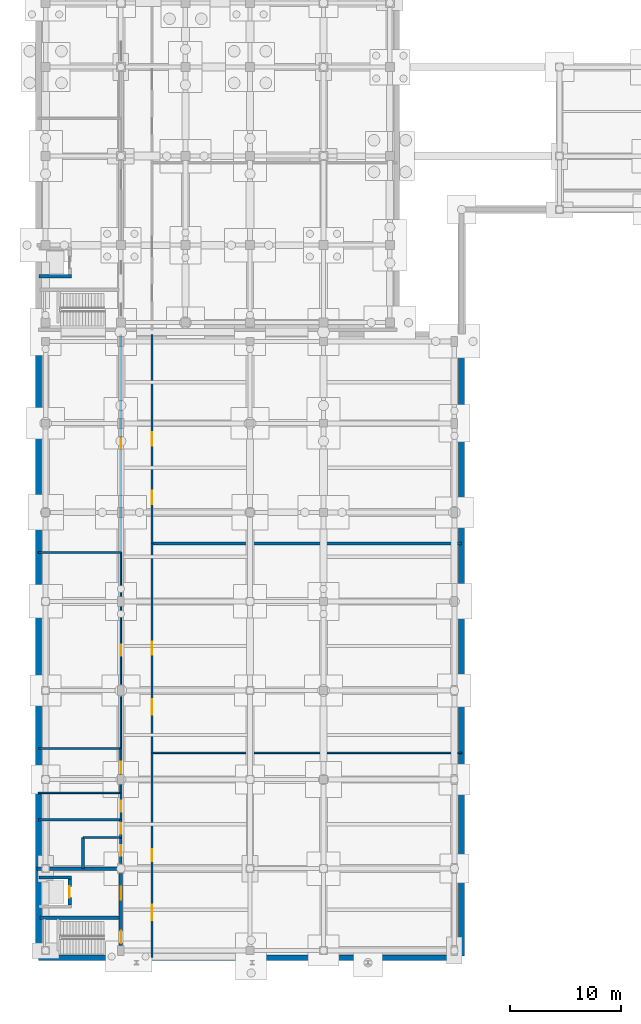
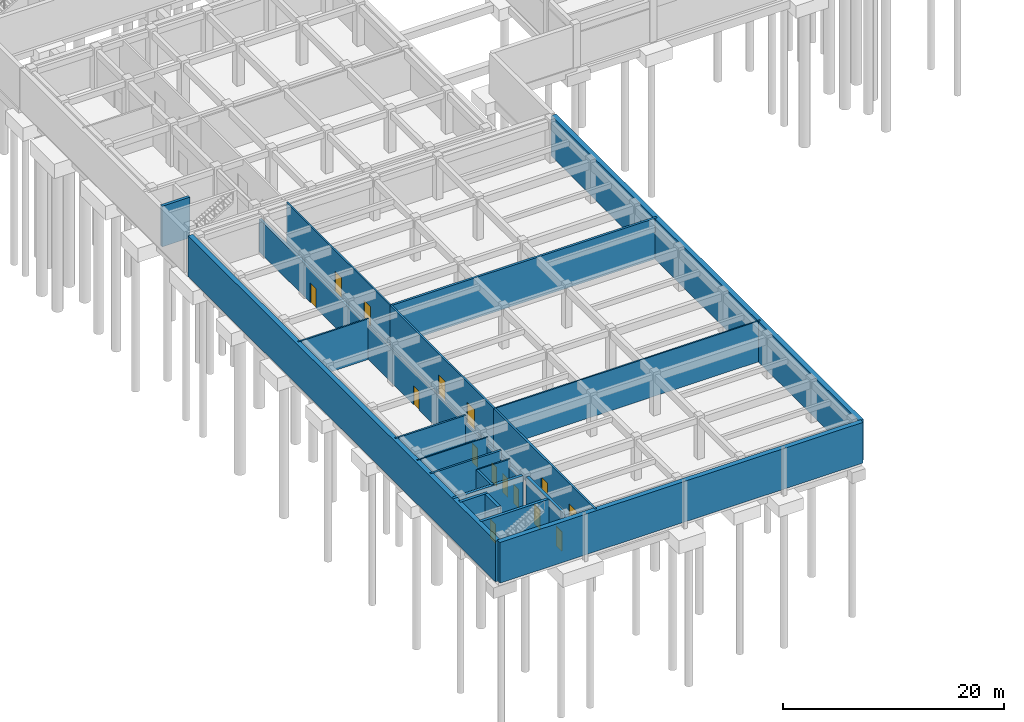
# One storey, part 20 of 35: 26 walls, 15 doors, 15 openings.
"""IFC4 building model written with IfcOpenShell, lengths in metres."""

from ifc_helpers import new_model, si_unit, direction, frame, frame_2d, origin, place, context, subcontext, project, spatial, rectangle, extrude, material, layer, layer_set, type_object, element, fill, save


model = new_model("IFC4")

# Units and contexts
model_context = context("Model", 3, precision=1e-05, world=origin(), true_north=direction((0.0, 1.0)))
body_context = subcontext(model_context, "Body", "Model", "MODEL_VIEW")
ifc_project = project(units=[si_unit("LENGTHUNIT", "METRE"), si_unit("AREAUNIT", "SQUARE_METRE"), si_unit("VOLUMEUNIT", "CUBIC_METRE"), si_unit("PLANEANGLEUNIT", "RADIAN"), si_unit("MASSUNIT", "GRAM", prefix="KILO")], contexts=[model_context])

# Site, building, storey
site_placement = place(None, origin())
site = spatial("IfcSite", under=ifc_project, at=site_placement, CompositionType="ELEMENT")
building_placement = place(site_placement, origin())
building = spatial("IfcBuilding", under=site, at=building_placement, Name="Cinchona Park Media Centre", CompositionType="ELEMENT")
storey_placement = place(building_placement, frame((0.0, 0.0, -4.800048828125)))
storey = spatial("IfcBuildingStorey", under=building, at=storey_placement, Name="B1", CompositionType="ELEMENT", Elevation=-4.800048828125)

# Wall, opening, door
ifc_material_1 = material(Name="Acoustic Double-Stud Gypsum Partition", Category="gypsum")
ifc_layer_1 = layer(ifc_material_1, 0.2099609375)
ifc_layer_set_1 = layer_set([ifc_layer_1], Name="Acoustic Double-Stud Gypsum Partition")
wall_type_1 = type_object("IfcWallType", Name="WALL-W-AC210", PredefinedType="PARTITIONING", material=ifc_layer_set_1)
wall_1_placement = place(storey_placement, frame((15.39990234375, 18.39990234375, 0.0), z_axis=(0.0, 0.0, 1.0), x_axis=(0.0, 1.0, 0.0)))
wall_1 = element("IfcWall", 1, at=wall_1_placement, inside=storey, type_object=wall_type_1, Name="Interior Wall W-AC210 B1", PredefinedType="PARTITIONING", context=body_context, shape_type="SweptSolid", body=[
    extrude(rectangle(XDim=1.60009765625, YDim=0.2099609375, at=frame_2d((0.800048828125, 0.0))), origin(), (0.0, 0.0, 1.0), 3.650146484375),
])
opening_1_placement = place(wall_1_placement, frame((0.31005859375, 0.0, 0.0)))
opening_1 = element("IfcOpeningElement", 2, at=opening_1_placement, cuts=wall_1, Name="Opening D140", PredefinedType="OPENING", context=body_context, shape_type="SweptSolid", body=[
    extrude(rectangle(XDim=0.97998046875, YDim=2.10009765625, at=frame_2d((0.489990234375, 1.050048828125))), frame((0.0, 0.114990234375, 0.0), z_axis=(0.0, -1.0, 0.0), x_axis=(1.0, 0.0, 0.0)), (0.0, 0.0, 1.0), 0.22998046875),
])
ifc_material_2 = material(Name="Fire-Rated Acoustic Timber-Steel Door", Category="steel")
door_type_1 = type_object("IfcDoorType", Name="DOOR-DT03", OperationType="NOTDEFINED", PredefinedType="DOOR", material=ifc_material_2)
door_1_placement = place(opening_1_placement, origin())
door_1 = element("IfcDoor", 3, at=door_1_placement, inside=storey, type_object=door_type_1, Name="Interior Door D140", OperationType="SINGLE_SWING_RIGHT", OverallHeight=2.10009765625, OverallWidth=0.97998046875, PredefinedType="DOOR", context=body_context, shape_type="SweptSolid", body=[
    extrude(rectangle(XDim=0.97998046875, YDim=2.10009765625, at=frame_2d((0.489990234375, 1.050048828125))), frame((0.0, 0.02490234375, 0.0), z_axis=(0.0, -1.0, 0.0), x_axis=(1.0, 0.0, 0.0)), (0.0, 0.0, 1.0), 0.050048828125),
])
fill(opening_1, door_1)

# Wall, openings, doors
wall_2_placement = place(storey_placement, frame((18.199951171875, 26.0, 0.0), z_axis=(0.0, 0.0, 1.0), x_axis=(0.0, -1.0, 0.0)))
wall_2 = element("IfcWall", 4, at=wall_2_placement, inside=storey, type_object=wall_type_1, Name="Interior Wall W-AC210 B1", PredefinedType="PARTITIONING", context=body_context, shape_type="SweptSolid", body=[
    extrude(rectangle(XDim=18.39990234375, YDim=0.2099609375, at=frame_2d((9.199951171875, 0.0))), origin(), (0.0, 0.0, 1.0), 4.5),
])
opening_2_placement = place(wall_2_placement, frame((8.639892578125, 0.0, 0.0)))
opening_2 = element("IfcOpeningElement", 5, at=opening_2_placement, cuts=wall_2, Name="Opening D145", PredefinedType="OPENING", context=body_context, shape_type="SweptSolid", body=[
    extrude(rectangle(XDim=1.1201171875, YDim=2.14990234375, at=frame_2d((0.56005859375, 1.074951171875))), frame((0.0, 0.114990234375, 0.0), z_axis=(0.0, -1.0, 0.0), x_axis=(1.0, 0.0, 0.0)), (0.0, 0.0, 1.0), 0.22998046875),
])
opening_3_placement = place(wall_2_placement, frame((13.652099609375, 0.0, 0.0)))
opening_3 = element("IfcOpeningElement", 6, at=opening_3_placement, cuts=wall_2, Name="Opening D146", PredefinedType="OPENING", context=body_context, shape_type="SweptSolid", body=[
    extrude(rectangle(XDim=1.39990234375, YDim=2.25, at=frame_2d((0.699951171875, 1.125))), frame((0.0, 0.114990234375, 0.0), z_axis=(0.0, -1.0, 0.0), x_axis=(1.0, 0.0, 0.0)), (0.0, 0.0, 1.0), 0.22998046875),
])
ifc_material_3 = material(Name="Acoustic Double-Seal Steel Door", Category="steel")
door_type_2 = type_object("IfcDoorType", Name="DOOR-DT-AC", OperationType="NOTDEFINED", PredefinedType="DOOR", material=ifc_material_3)
door_2_placement = place(opening_3_placement, origin())
door_2 = element("IfcDoor", 7, at=door_2_placement, inside=storey, type_object=door_type_2, Name="Interior Door D146", OperationType="SINGLE_SWING_RIGHT", OverallHeight=2.25, OverallWidth=1.39990234375, PredefinedType="DOOR", context=body_context, shape_type="SweptSolid", body=[
    extrude(rectangle(XDim=1.39990234375, YDim=2.25, at=frame_2d((0.699951171875, 1.125))), frame((0.0, 0.02490234375, 0.0), z_axis=(0.0, -1.0, 0.0), x_axis=(1.0, 0.0, 0.0)), (0.0, 0.0, 1.0), 0.050048828125),
])
fill(opening_3, door_2)
ifc_material_4 = material(Name="Fire-Rated Acoustic Timber-Steel Door", Category="steel")
door_type_3 = type_object("IfcDoorType", Name="DOOR-DT08", OperationType="NOTDEFINED", PredefinedType="DOOR", material=ifc_material_4)
door_3_placement = place(opening_2_placement, origin())
door_3 = element("IfcDoor", 8, at=door_3_placement, inside=storey, type_object=door_type_3, Name="Interior Door D145", OperationType="SINGLE_SWING_LEFT", OverallHeight=2.14990234375, OverallWidth=1.1201171875, PredefinedType="DOOR", context=body_context, shape_type="SweptSolid", body=[
    extrude(rectangle(XDim=1.1201171875, YDim=2.14990234375, at=frame_2d((0.56005859375, 1.074951171875))), frame((0.0, 0.02490234375, 0.0), z_axis=(0.0, -1.0, 0.0), x_axis=(1.0, 0.0, 0.0)), (0.0, 0.0, 1.0), 0.050048828125),
])
fill(opening_2, door_3)

# Wall
wall_3_placement = place(storey_placement, frame((8.0, 20.0, 0.0), z_axis=(0.0, 0.0, 1.0), x_axis=(1.0, 0.0, 0.0)))
element("IfcWall", 9, at=wall_3_placement, inside=storey, type_object=wall_type_1, Name="Interior Wall W-AC210 B1", PredefinedType="PARTITIONING", context=body_context, shape_type="SweptSolid", body=[
    extrude(rectangle(XDim=7.39990234375, YDim=0.2099609375, at=frame_2d((3.699951171875, 0.0))), origin(), (0.0, 0.0, 1.0), 4.5),
])

# Wall, opening, door
ifc_material_5 = material(Name="Acoustic Double-Stud Gypsum Partition", Category="gypsum")
ifc_layer_2 = layer(ifc_material_5, 0.239990234375)
ifc_layer_set_2 = layer_set([ifc_layer_2], Name="Acoustic Double-Stud Gypsum Partition")
wall_type_2 = type_object("IfcWallType", Name="WALL-W-AC240", PredefinedType="PARTITIONING", material=ifc_layer_set_2)
wall_4_placement = place(storey_placement, frame((15.39990234375, 16.052001953125, 0.0), z_axis=(0.0, 0.0, 1.0), x_axis=(0.0, 1.0, 0.0)))
wall_4 = element("IfcWall", 10, at=wall_4_placement, inside=storey, type_object=wall_type_2, Name="Interior Wall W-AC240 B1", PredefinedType="PARTITIONING", context=body_context, shape_type="SweptSolid", body=[
    extrude(rectangle(XDim=2.347900390625, YDim=0.239990234375, at=frame_2d((1.173828125, 0.0))), origin(), (0.0, 0.0, 1.0), 3.650146484375),
])
opening_4_placement = place(wall_4_placement, frame((0.714111328125, 0.0, 0.0)))
opening_4 = element("IfcOpeningElement", 11, at=opening_4_placement, cuts=wall_4, Name="Opening D139", PredefinedType="OPENING", context=body_context, shape_type="SweptSolid", body=[
    extrude(rectangle(XDim=0.919921875, YDim=2.10009765625, at=frame_2d((0.4599609375, 1.050048828125))), frame((0.0, 0.1298828125, 0.0), z_axis=(0.0, -1.0, 0.0), x_axis=(1.0, 0.0, 0.0)), (0.0, 0.0, 1.0), 0.260009765625),
])
ifc_material_6 = material(Name="Solid-Core Timber Acoustic Door", Category="wood")
door_type_4 = type_object("IfcDoorType", Name="DOOR-DT01", OperationType="NOTDEFINED", PredefinedType="DOOR", material=ifc_material_6)
door_4_placement = place(opening_4_placement, origin())
door_4 = element("IfcDoor", 12, at=door_4_placement, inside=storey, type_object=door_type_4, Name="Interior Door D139", OperationType="SINGLE_SWING_LEFT", OverallHeight=2.10009765625, OverallWidth=0.919921875, PredefinedType="DOOR", context=body_context, shape_type="SweptSolid", body=[
    extrude(rectangle(XDim=0.919921875, YDim=2.10009765625, at=frame_2d((0.4599609375, 1.050048828125))), frame((0.0, 0.02490234375, 0.0), z_axis=(0.0, -1.0, 0.0), x_axis=(1.0, 0.0, 0.0)), (0.0, 0.0, 1.0), 0.050048828125),
])
fill(opening_4, door_4)

wall_5_placement = place(storey_placement, frame((15.39990234375, 44.0, 0.0), z_axis=(0.0, 0.0, 1.0), x_axis=(0.0, 1.0, 0.0)))
wall_5 = element("IfcWall", 13, at=wall_5_placement, inside=storey, type_object=wall_type_2, Name="Interior Wall W-AC240 B1", PredefinedType="PARTITIONING", context=body_context, shape_type="SweptSolid", body=[
    extrude(rectangle(XDim=19.60009765625, YDim=0.239990234375, at=frame_2d((9.800048828125, 0.0))), origin(), (0.0, 0.0, 1.0), 3.650146484375),
])
opening_5_placement = place(wall_5_placement, frame((9.260009765625, 0.0, 0.0)))
opening_5 = element("IfcOpeningElement", 14, at=opening_5_placement, cuts=wall_5, Name="Opening D144", PredefinedType="OPENING", context=body_context, shape_type="SweptSolid", body=[
    extrude(rectangle(XDim=1.080078125, YDim=2.14990234375, at=frame_2d((0.5400390625, 1.074951171875))), frame((0.0, 0.1298828125, 0.0), z_axis=(0.0, -1.0, 0.0), x_axis=(1.0, 0.0, 0.0)), (0.0, 0.0, 1.0), 0.260009765625),
])
ifc_material_7 = material(Name="Fire-Rated Acoustic Timber-Steel Door", Category="steel")
door_type_5 = type_object("IfcDoorType", Name="DOOR-DT07", OperationType="NOTDEFINED", PredefinedType="DOOR", material=ifc_material_7)
door_5_placement = place(opening_5_placement, origin())
door_5 = element("IfcDoor", 15, at=door_5_placement, inside=storey, type_object=door_type_5, Name="Interior Door D144", OperationType="SINGLE_SWING_RIGHT", OverallHeight=2.14990234375, OverallWidth=1.080078125, PredefinedType="DOOR", context=body_context, shape_type="SweptSolid", body=[
    extrude(rectangle(XDim=1.080078125, YDim=2.14990234375, at=frame_2d((0.5400390625, 1.074951171875))), frame((0.0, 0.02490234375, 0.0), z_axis=(0.0, -1.0, 0.0), x_axis=(1.0, 0.0, 0.0)), (0.0, 0.0, 1.0), 0.050048828125),
])
fill(opening_5, door_5)

# Walls
wall_6_placement = place(storey_placement, frame((12.0, 15.60009765625, 0.0), z_axis=(0.0, 0.0, 1.0), x_axis=(0.0, 1.0, 0.0)))
element("IfcWall", 16, at=wall_6_placement, inside=storey, type_object=wall_type_2, Name="Interior Wall W-AC240 B1", PredefinedType="PARTITIONING", context=body_context, shape_type="SweptSolid", body=[
    extrude(rectangle(XDim=2.7998046875, YDim=0.239990234375, at=frame_2d((1.39990234375, 0.0))), origin(), (0.0, 0.0, 1.0), 4.5),
])
wall_7_placement = place(storey_placement, frame((18.199951171875, 44.800048828125, 0.0), z_axis=(0.0, 0.0, 1.0), x_axis=(1.0, 0.0, 0.0)))
element("IfcWall", 17, at=wall_7_placement, inside=storey, type_object=wall_type_2, Name="Interior Wall W-AC240 B1", PredefinedType="PARTITIONING", context=body_context, shape_type="SweptSolid", body=[
    extrude(rectangle(XDim=27.800048828125, YDim=0.239990234375, at=frame_2d((13.89990234375, 0.0))), origin(), (0.0, 0.0, 1.0), 4.5),
])
ifc_material_8 = material(Name="Concrete C40/50", Category="concrete")
ifc_layer_3 = layer(ifc_material_8, 0.300048828125)
ifc_layer_set_3 = layer_set([ifc_layer_3], Name="Concrete C40/50")
wall_type_3 = type_object("IfcWallType", Name="WALL-W-CR300", PredefinedType="SHEAR", material=ifc_layer_set_3)
wall_8_placement = place(storey_placement, frame((7.85009765625, 15.60009765625, 0.0), z_axis=(0.0, 0.0, 1.0), x_axis=(1.0, 0.0, 0.0)))
element("IfcWall", 18, at=wall_8_placement, inside=storey, type_object=wall_type_3, Name="Core Shear Wall W-CR300 B1", PredefinedType="SHEAR", context=body_context, shape_type="SweptSolid", body=[
    extrude(rectangle(XDim=7.247802734375, YDim=0.300048828125, at=frame_2d((3.6240234375, 0.0))), origin(), (0.0, 0.0, 1.0), 4.5),
])

# Wall, openings, doors
wall_9_placement = place(storey_placement, frame((15.39990234375, 8.69189453125, 0.0), z_axis=(0.0, 0.0, 1.0), x_axis=(0.0, 1.0, 0.0)))
wall_9 = element("IfcWall", 19, at=wall_9_placement, inside=storey, type_object=wall_type_3, Name="Core Shear Wall W-CR300 B1", PredefinedType="SHEAR", context=body_context, shape_type="SweptSolid", body=[
    extrude(rectangle(XDim=6.4560546875, YDim=0.300048828125, at=frame_2d((3.22802734375, 0.0))), origin(), (0.0, 0.0, 1.0), 4.5),
])
opening_6_placement = place(wall_9_placement, frame((0.219970703125, 0.0, 0.0)))
opening_6 = element("IfcOpeningElement", 20, at=opening_6_placement, cuts=wall_9, Name="Opening D038", PredefinedType="OPENING", context=body_context, shape_type="SweptSolid", body=[
    extrude(rectangle(XDim=1.10009765625, YDim=2.14990234375, at=frame_2d((0.550048828125, 1.074951171875))), frame((0.0, 0.159912109375, 0.0), z_axis=(0.0, -1.0, 0.0), x_axis=(1.0, 0.0, 0.0)), (0.0, 0.0, 1.0), 0.320068359375),
])
opening_7_placement = place(wall_9_placement, frame((4.133056640625, 0.0, 0.0)))
opening_7 = element("IfcOpeningElement", 21, at=opening_7_placement, cuts=wall_9, Name="Opening D039", PredefinedType="OPENING", context=body_context, shape_type="SweptSolid", body=[
    extrude(rectangle(XDim=1.14990234375, YDim=2.199951171875, at=frame_2d((0.574951171875, 1.10009765625))), frame((0.0, 0.159912109375, 0.0), z_axis=(0.0, -1.0, 0.0), x_axis=(1.0, 0.0, 0.0)), (0.0, 0.0, 1.0), 0.320068359375),
])
ifc_material_9 = material(Name="Insulated Fire-Rated Steel Door", Category="steel")
door_type_6 = type_object("IfcDoorType", Name="DOOR-DT-FF", OperationType="NOTDEFINED", PredefinedType="DOOR", material=ifc_material_9)
door_6_placement = place(opening_7_placement, origin())
door_6 = element("IfcDoor", 22, at=door_6_placement, inside=storey, type_object=door_type_6, Name="Interior Door D039", OperationType="SINGLE_SWING_LEFT", OverallHeight=2.199951171875, OverallWidth=1.14990234375, PredefinedType="DOOR", context=body_context, shape_type="SweptSolid", body=[
    extrude(rectangle(XDim=1.14990234375, YDim=2.199951171875, at=frame_2d((0.574951171875, 1.10009765625))), frame((0.0, 0.02490234375, 0.0), z_axis=(0.0, -1.0, 0.0), x_axis=(1.0, 0.0, 0.0)), (0.0, 0.0, 1.0), 0.050048828125),
])
fill(opening_7, door_6)
ifc_material_10 = material(Name="Insulated Fire-Rated Steel Door", Category="steel")
door_type_7 = type_object("IfcDoorType", Name="DOOR-DT-ST", OperationType="NOTDEFINED", PredefinedType="DOOR", material=ifc_material_10)
door_7_placement = place(opening_6_placement, origin())
door_7 = element("IfcDoor", 23, at=door_7_placement, inside=storey, type_object=door_type_7, Name="Interior Door D038", OperationType="SINGLE_SWING_RIGHT", OverallHeight=2.14990234375, OverallWidth=1.10009765625, PredefinedType="DOOR", context=body_context, shape_type="SweptSolid", body=[
    extrude(rectangle(XDim=1.10009765625, YDim=2.14990234375, at=frame_2d((0.550048828125, 1.074951171875))), frame((0.0, 0.02490234375, 0.0), z_axis=(0.0, -1.0, 0.0), x_axis=(1.0, 0.0, 0.0)), (0.0, 0.0, 1.0), 0.050048828125),
])
fill(opening_6, door_7)

# Walls
wall_10_placement = place(storey_placement, frame((8.14990234375, 11.199951171875, 0.0), z_axis=(0.0, 0.0, 1.0), x_axis=(1.0, 0.0, 0.0)))
element("IfcWall", 24, at=wall_10_placement, inside=storey, type_object=wall_type_3, Name="Core Shear Wall W-CR300 B1", PredefinedType="SHEAR", context=body_context, shape_type="SweptSolid", body=[
    extrude(rectangle(XDim=7.10009765625, YDim=0.300048828125, at=frame_2d((3.550048828125, 0.0))), origin(), (0.0, 0.0, 1.0), 4.5),
])
ifc_material_11 = material(Name="Gypsum Metal-Stud Partition", Category="gypsum")
ifc_layer_4 = layer(ifc_material_11, 0.135009765625)
ifc_layer_set_4 = layer_set([ifc_layer_4], Name="Gypsum Metal-Stud Partition")
wall_type_4 = type_object("IfcWallType", Name="WALL-W-PT135", PredefinedType="PARTITIONING", material=ifc_layer_set_4)
wall_11_placement = place(storey_placement, frame((8.0, 22.39990234375, 0.0), z_axis=(0.0, 0.0, 1.0), x_axis=(1.0, 0.0, 0.0)))
element("IfcWall", 25, at=wall_11_placement, inside=storey, type_object=wall_type_4, Name="Interior Wall W-PT135 B1", PredefinedType="PARTITIONING", context=body_context, shape_type="SweptSolid", body=[
    extrude(rectangle(XDim=7.39990234375, YDim=0.135009765625, at=frame_2d((3.699951171875, 0.0))), origin(), (0.0, 0.0, 1.0), 4.5),
])

# Wall, opening, door
ifc_material_12 = material(Name="Fire-Rated Gypsum Stud Partition", Category="gypsum")
ifc_layer_5 = layer(ifc_material_12, 0.14990234375)
ifc_layer_set_5 = layer_set([ifc_layer_5], Name="Fire-Rated Gypsum Stud Partition")
wall_type_5 = type_object("IfcWallType", Name="WALL-W-PT150", PredefinedType="PARTITIONING", material=ifc_layer_set_5)
wall_12_placement = place(storey_placement, frame((15.39990234375, 26.39990234375, 0.0), z_axis=(0.0, 0.0, 1.0), x_axis=(0.0, 1.0, 0.0)))
wall_12 = element("IfcWall", 26, at=wall_12_placement, inside=storey, type_object=wall_type_5, Name="Interior Wall W-PT150 B1", PredefinedType="PARTITIONING", context=body_context, shape_type="SweptSolid", body=[
    extrude(rectangle(XDim=17.60009765625, YDim=0.14990234375, at=frame_2d((8.800048828125, 0.0))), origin(), (0.0, 0.0, 1.0), 3.650146484375),
])
opening_8_placement = place(wall_12_placement, frame((8.300048828125, 0.0, 0.0)))
opening_8 = element("IfcOpeningElement", 27, at=opening_8_placement, cuts=wall_12, Name="Opening D143", PredefinedType="OPENING", context=body_context, shape_type="SweptSolid", body=[
    extrude(rectangle(XDim=1.0, YDim=2.10009765625, at=frame_2d((0.5, 1.050048828125))), frame((0.0, 0.0849609375, 0.0), z_axis=(0.0, -1.0, 0.0), x_axis=(1.0, 0.0, 0.0)), (0.0, 0.0, 1.0), 0.169921875),
])
ifc_material_13 = material(Name="Fire-Rated Acoustic Timber-Steel Door", Category="steel")
door_type_8 = type_object("IfcDoorType", Name="DOOR-DT04", OperationType="NOTDEFINED", PredefinedType="DOOR", material=ifc_material_13)
door_8_placement = place(opening_8_placement, origin())
door_8 = element("IfcDoor", 28, at=door_8_placement, inside=storey, type_object=door_type_8, Name="Interior Door D143", OperationType="SINGLE_SWING_LEFT", OverallHeight=2.10009765625, OverallWidth=1.0, PredefinedType="DOOR", context=body_context, shape_type="SweptSolid", body=[
    extrude(rectangle(XDim=1.0, YDim=2.10009765625, at=frame_2d((0.5, 1.050048828125))), frame((0.0, 0.02490234375, 0.0), z_axis=(0.0, -1.0, 0.0), x_axis=(1.0, 0.0, 0.0)), (0.0, 0.0, 1.0), 0.050048828125),
])
fill(opening_8, door_8)

# Walls
wall_13_placement = place(storey_placement, frame((12.0, 18.39990234375, 0.0), z_axis=(0.0, 0.0, 1.0), x_axis=(1.0, 0.0, 0.0)))
element("IfcWall", 29, at=wall_13_placement, inside=storey, type_object=wall_type_5, Name="Interior Wall W-PT150 B1", PredefinedType="PARTITIONING", context=body_context, shape_type="SweptSolid", body=[
    extrude(rectangle(XDim=3.39990234375, YDim=0.14990234375, at=frame_2d((1.699951171875, 0.0))), origin(), (0.0, 0.0, 1.0), 4.5),
])
wall_14_placement = place(storey_placement, frame((18.199951171875, 26.0, 0.0), z_axis=(0.0, 0.0, 1.0), x_axis=(1.0, 0.0, 0.0)))
element("IfcWall", 30, at=wall_14_placement, inside=storey, type_object=wall_type_5, Name="Interior Wall W-PT150 B1", PredefinedType="PARTITIONING", context=body_context, shape_type="SweptSolid", body=[
    extrude(rectangle(XDim=27.800048828125, YDim=0.14990234375, at=frame_2d((13.89990234375, 0.0))), origin(), (0.0, 0.0, 1.0), 4.5),
])

# Wall, opening, door
ifc_material_14 = material(Name="Fire-Rated Gypsum Stud Partition", Category="gypsum")
ifc_layer_6 = layer(ifc_material_14, 0.1650390625)
ifc_layer_set_6 = layer_set([ifc_layer_6], Name="Fire-Rated Gypsum Stud Partition")
wall_type_6 = type_object("IfcWallType", Name="WALL-W-PT165", PredefinedType="PARTITIONING", material=ifc_layer_set_6)
wall_15_placement = place(storey_placement, frame((15.39990234375, 22.39990234375, 0.0), z_axis=(0.0, 0.0, 1.0), x_axis=(0.0, 1.0, 0.0)))
wall_15 = element("IfcWall", 31, at=wall_15_placement, inside=storey, type_object=wall_type_6, Name="Interior Wall W-PT165 B1", PredefinedType="PARTITIONING", context=body_context, shape_type="SweptSolid", body=[
    extrude(rectangle(XDim=4.0, YDim=0.1650390625, at=frame_2d((2.0, 0.0))), origin(), (0.0, 0.0, 1.0), 3.650146484375),
])
opening_9_placement = place(wall_15_placement, frame((1.780029296875, 0.0, 0.0)))
opening_9 = element("IfcOpeningElement", 32, at=opening_9_placement, cuts=wall_15, Name="Opening D142", PredefinedType="OPENING", context=body_context, shape_type="SweptSolid", body=[
    extrude(rectangle(XDim=1.02001953125, YDim=2.10009765625, at=frame_2d((0.510009765625, 1.050048828125))), frame((0.0, 0.092529296875, 0.0), z_axis=(0.0, -1.0, 0.0), x_axis=(1.0, 0.0, 0.0)), (0.0, 0.0, 1.0), 0.18505859375),
])
ifc_material_15 = material(Name="Solid-Core Timber Acoustic Door", Category="wood")
door_type_9 = type_object("IfcDoorType", Name="DOOR-DT05", OperationType="NOTDEFINED", PredefinedType="DOOR", material=ifc_material_15)
door_9_placement = place(opening_9_placement, origin())
door_9 = element("IfcDoor", 33, at=door_9_placement, inside=storey, type_object=door_type_9, Name="Interior Door D142", OperationType="SINGLE_SWING_RIGHT", OverallHeight=2.10009765625, OverallWidth=1.02001953125, PredefinedType="DOOR", context=body_context, shape_type="SweptSolid", body=[
    extrude(rectangle(XDim=1.02001953125, YDim=2.10009765625, at=frame_2d((0.510009765625, 1.050048828125))), frame((0.0, 0.02490234375, 0.0), z_axis=(0.0, -1.0, 0.0), x_axis=(1.0, 0.0, 0.0)), (0.0, 0.0, 1.0), 0.050048828125),
])
fill(opening_9, door_9)

# Wall, openings, doors
wall_16_placement = place(storey_placement, frame((18.199951171875, 63.60009765625, 0.0), z_axis=(0.0, 0.0, 1.0), x_axis=(0.0, -1.0, 0.0)))
wall_16 = element("IfcWall", 34, at=wall_16_placement, inside=storey, type_object=wall_type_6, Name="Interior Wall W-PT165 B1", PredefinedType="PARTITIONING", context=body_context, shape_type="SweptSolid", body=[
    extrude(rectangle(XDim=18.800048828125, YDim=0.1650390625, at=frame_2d((9.39990234375, 0.0))), origin(), (0.0, 0.0, 1.0), 4.5),
])
opening_10_placement = place(wall_16_placement, frame((8.7900390625, 0.0, 0.0)))
opening_10 = element("IfcOpeningElement", 35, at=opening_10_placement, cuts=wall_16, Name="Opening D149", PredefinedType="OPENING", context=body_context, shape_type="SweptSolid", body=[
    extrude(rectangle(XDim=1.219970703125, YDim=2.199951171875, at=frame_2d((0.60986328125, 1.10009765625))), frame((0.0, 0.092529296875, 0.0), z_axis=(0.0, -1.0, 0.0), x_axis=(1.0, 0.0, 0.0)), (0.0, 0.0, 1.0), 0.18505859375),
])
opening_11_placement = place(wall_16_placement, frame((14.053955078125, 0.0, 0.0)))
opening_11 = element("IfcOpeningElement", 36, at=opening_11_placement, cuts=wall_16, Name="Opening D150", PredefinedType="OPENING", context=body_context, shape_type="SweptSolid", body=[
    extrude(rectangle(XDim=1.219970703125, YDim=2.199951171875, at=frame_2d((0.60986328125, 1.10009765625))), frame((0.0, 0.092529296875, 0.0), z_axis=(0.0, -1.0, 0.0), x_axis=(1.0, 0.0, 0.0)), (0.0, 0.0, 1.0), 0.18505859375),
])
ifc_material_16 = material(Name="Fire-Rated Acoustic Timber-Steel Door", Category="steel")
door_type_10 = type_object("IfcDoorType", Name="DOOR-DT10", OperationType="NOTDEFINED", PredefinedType="DOOR", material=ifc_material_16)
door_10_placement = place(opening_10_placement, origin())
door_10 = element("IfcDoor", 37, at=door_10_placement, inside=storey, type_object=door_type_10, Name="Interior Door D149", OperationType="SINGLE_SWING_LEFT", OverallHeight=2.199951171875, OverallWidth=1.219970703125, PredefinedType="DOOR", context=body_context, shape_type="SweptSolid", body=[
    extrude(rectangle(XDim=1.219970703125, YDim=2.199951171875, at=frame_2d((0.60986328125, 1.10009765625))), frame((0.0, 0.02490234375, 0.0), z_axis=(0.0, -1.0, 0.0), x_axis=(1.0, 0.0, 0.0)), (0.0, 0.0, 1.0), 0.050048828125),
])
fill(opening_10, door_10)
door_11_placement = place(opening_11_placement, origin())
door_11 = element("IfcDoor", 38, at=door_11_placement, inside=storey, type_object=door_type_10, Name="Interior Door D150", OperationType="SINGLE_SWING_RIGHT", OverallHeight=2.199951171875, OverallWidth=1.219970703125, PredefinedType="DOOR", context=body_context, shape_type="SweptSolid", body=[
    extrude(rectangle(XDim=1.219970703125, YDim=2.199951171875, at=frame_2d((0.60986328125, 1.10009765625))), frame((0.0, 0.02490234375, 0.0), z_axis=(0.0, -1.0, 0.0), x_axis=(1.0, 0.0, 0.0)), (0.0, 0.0, 1.0), 0.050048828125),
])
fill(opening_11, door_11)

# Wall
wall_17_placement = place(storey_placement, frame((8.0, 44.0, 0.0), z_axis=(0.0, 0.0, 1.0), x_axis=(1.0, 0.0, 0.0)))
element("IfcWall", 39, at=wall_17_placement, inside=storey, type_object=wall_type_6, Name="Interior Wall W-PT165 B1", PredefinedType="PARTITIONING", context=body_context, shape_type="SweptSolid", body=[
    extrude(rectangle(XDim=7.39990234375, YDim=0.1650390625, at=frame_2d((3.699951171875, 0.0))), origin(), (0.0, 0.0, 1.0), 4.5),
])

# Wall, opening, door
ifc_material_17 = material(Name="Fire-Rated Gypsum Stud Partition", Category="gypsum")
ifc_layer_7 = layer(ifc_material_17, 0.18994140625)
ifc_layer_set_7 = layer_set([ifc_layer_7], Name="Fire-Rated Gypsum Stud Partition")
wall_type_7 = type_object("IfcWallType", Name="WALL-W-PT190", PredefinedType="PARTITIONING", material=ifc_layer_set_7)
wall_18_placement = place(storey_placement, frame((15.39990234375, 20.0, 0.0), z_axis=(0.0, 0.0, 1.0), x_axis=(0.0, 1.0, 0.0)))
wall_18 = element("IfcWall", 40, at=wall_18_placement, inside=storey, type_object=wall_type_7, Name="Interior Wall W-PT190 B1", PredefinedType="PARTITIONING", context=body_context, shape_type="SweptSolid", body=[
    extrude(rectangle(XDim=2.39990234375, YDim=0.18994140625, at=frame_2d((1.199951171875, 0.0))), origin(), (0.0, 0.0, 1.0), 3.650146484375),
])
opening_12_placement = place(wall_18_placement, frame((0.72509765625, 0.0, 0.0)))
opening_12 = element("IfcOpeningElement", 41, at=opening_12_placement, cuts=wall_18, Name="Opening D141", PredefinedType="OPENING", context=body_context, shape_type="SweptSolid", body=[
    extrude(rectangle(XDim=0.949951171875, YDim=2.10009765625, at=frame_2d((0.47509765625, 1.050048828125))), frame((0.0, 0.10498046875, 0.0), z_axis=(0.0, -1.0, 0.0), x_axis=(1.0, 0.0, 0.0)), (0.0, 0.0, 1.0), 0.2099609375),
])
ifc_material_18 = material(Name="Solid-Core Timber Acoustic Door", Category="wood")
door_type_11 = type_object("IfcDoorType", Name="DOOR-DT02", OperationType="NOTDEFINED", PredefinedType="DOOR", material=ifc_material_18)
door_12_placement = place(opening_12_placement, origin())
door_12 = element("IfcDoor", 42, at=door_12_placement, inside=storey, type_object=door_type_11, Name="Interior Door D141", OperationType="SINGLE_SWING_LEFT", OverallHeight=2.10009765625, OverallWidth=0.949951171875, PredefinedType="DOOR", context=body_context, shape_type="SweptSolid", body=[
    extrude(rectangle(XDim=0.949951171875, YDim=2.10009765625, at=frame_2d((0.47509765625, 1.050048828125))), frame((0.0, 0.02490234375, 0.0), z_axis=(0.0, -1.0, 0.0), x_axis=(1.0, 0.0, 0.0)), (0.0, 0.0, 1.0), 0.050048828125),
])
fill(opening_12, door_12)

# Wall, openings, doors
wall_19_placement = place(storey_placement, frame((18.199951171875, 44.800048828125, 0.0), z_axis=(0.0, 0.0, 1.0), x_axis=(0.0, -1.0, 0.0)))
wall_19 = element("IfcWall", 43, at=wall_19_placement, inside=storey, type_object=wall_type_7, Name="Interior Wall W-PT190 B1", PredefinedType="PARTITIONING", context=body_context, shape_type="SweptSolid", body=[
    extrude(rectangle(XDim=18.800048828125, YDim=0.18994140625, at=frame_2d((9.39990234375, 0.0))), origin(), (0.0, 0.0, 1.0), 4.5),
])
opening_13_placement = place(wall_19_placement, frame((8.81005859375, 0.0, 0.0)))
opening_13 = element("IfcOpeningElement", 44, at=opening_13_placement, cuts=wall_19, Name="Opening D147", PredefinedType="OPENING", context=body_context, shape_type="SweptSolid", body=[
    extrude(rectangle(XDim=1.179931640625, YDim=2.14990234375, at=frame_2d((0.58984375, 1.074951171875))), frame((0.0, 0.10498046875, 0.0), z_axis=(0.0, -1.0, 0.0), x_axis=(1.0, 0.0, 0.0)), (0.0, 0.0, 1.0), 0.2099609375),
])
opening_14_placement = place(wall_19_placement, frame((13.964111328125, 0.0, 0.0)))
opening_14 = element("IfcOpeningElement", 45, at=opening_14_placement, cuts=wall_19, Name="Opening D148", PredefinedType="OPENING", context=body_context, shape_type="SweptSolid", body=[
    extrude(rectangle(XDim=1.39990234375, YDim=2.25, at=frame_2d((0.699951171875, 1.125))), frame((0.0, 0.10498046875, 0.0), z_axis=(0.0, -1.0, 0.0), x_axis=(1.0, 0.0, 0.0)), (0.0, 0.0, 1.0), 0.2099609375),
])
door_13_placement = place(opening_14_placement, origin())
door_13 = element("IfcDoor", 46, at=door_13_placement, inside=storey, type_object=door_type_2, Name="Interior Door D148", OperationType="SINGLE_SWING_RIGHT", OverallHeight=2.25, OverallWidth=1.39990234375, PredefinedType="DOOR", context=body_context, shape_type="SweptSolid", body=[
    extrude(rectangle(XDim=1.39990234375, YDim=2.25, at=frame_2d((0.699951171875, 1.125))), frame((0.0, 0.02490234375, 0.0), z_axis=(0.0, -1.0, 0.0), x_axis=(1.0, 0.0, 0.0)), (0.0, 0.0, 1.0), 0.050048828125),
])
fill(opening_14, door_13)
ifc_material_19 = material(Name="Fire-Rated Acoustic Timber-Steel Door", Category="steel")
door_type_12 = type_object("IfcDoorType", Name="DOOR-DT09", OperationType="NOTDEFINED", PredefinedType="DOOR", material=ifc_material_19)
door_14_placement = place(opening_13_placement, origin())
door_14 = element("IfcDoor", 47, at=door_14_placement, inside=storey, type_object=door_type_12, Name="Interior Door D147", OperationType="SINGLE_SWING_LEFT", OverallHeight=2.14990234375, OverallWidth=1.179931640625, PredefinedType="DOOR", context=body_context, shape_type="SweptSolid", body=[
    extrude(rectangle(XDim=1.179931640625, YDim=2.14990234375, at=frame_2d((0.58984375, 1.074951171875))), frame((0.0, 0.02490234375, 0.0), z_axis=(0.0, -1.0, 0.0), x_axis=(1.0, 0.0, 0.0)), (0.0, 0.0, 1.0), 0.050048828125),
])
fill(opening_13, door_14)

# Walls
wall_20_placement = place(storey_placement, frame((8.0, 26.39990234375, 0.0), z_axis=(0.0, 0.0, 1.0), x_axis=(1.0, 0.0, 0.0)))
element("IfcWall", 48, at=wall_20_placement, inside=storey, type_object=wall_type_7, Name="Interior Wall W-PT190 B1", PredefinedType="PARTITIONING", context=body_context, shape_type="SweptSolid", body=[
    extrude(rectangle(XDim=7.39990234375, YDim=0.18994140625, at=frame_2d((3.699951171875, 0.0))), origin(), (0.0, 0.0, 1.0), 4.5),
])
ifc_material_20 = material(Name="Concrete C40/50", Category="concrete")
ifc_layer_8 = layer(ifc_material_20, 0.5)
ifc_layer_set_8 = layer_set([ifc_layer_8], Name="Concrete C40/50")
wall_type_8 = type_object("IfcWallType", Name="WALL-W-RT01", PredefinedType="USERDEFINED", material=ifc_layer_set_8)
wall_21_placement = place(storey_placement, frame((46.0, 63.4599609375, 0.0), z_axis=(0.0, 0.0, 1.0), x_axis=(0.0, -1.0, 0.0)))
element("IfcWall", 49, at=wall_21_placement, inside=storey, type_object=wall_type_8, Name="Basement Retaining Wall W-RT01", ObjectType="RETAININGWALL", PredefinedType="USERDEFINED", context=body_context, shape_type="SweptSolid", body=[
    extrude(rectangle(XDim=55.719970703125, YDim=0.5, at=frame_2d((27.85986328125, 0.0))), origin(), (0.0, 0.0, 1.0), 4.5),
])
wall_22_placement = place(storey_placement, frame((46.0, 7.60009765625, 0.0), z_axis=(0.0, 0.0, 1.0), x_axis=(-1.0, 0.0, 0.0)))
element("IfcWall", 50, at=wall_22_placement, inside=storey, type_object=wall_type_8, Name="Basement Retaining Wall W-RT01", ObjectType="RETAININGWALL", PredefinedType="USERDEFINED", context=body_context, shape_type="SweptSolid", body=[
    extrude(rectangle(XDim=38.0, YDim=0.5, at=frame_2d((19.0, 0.0))), origin(), (0.0, 0.0, 1.0), 4.5),
])
wall_23_placement = place(storey_placement, frame((8.0, 7.739990234375, 0.0), z_axis=(0.0, 0.0, 1.0), x_axis=(0.0, 1.0, 0.0)))
element("IfcWall", 51, at=wall_23_placement, inside=storey, type_object=wall_type_8, Name="Basement Retaining Wall W-RT01", ObjectType="RETAININGWALL", PredefinedType="USERDEFINED", context=body_context, shape_type="SweptSolid", body=[
    extrude(rectangle(XDim=55.719970703125, YDim=0.5, at=frame_2d((27.85986328125, 0.0))), origin(), (0.0, 0.0, 1.0), 4.5),
])
ifc_material_21 = material(Name="Concrete C40/50", Category="concrete")
ifc_layer_9 = layer(ifc_material_21, 0.2900390625)
ifc_layer_set_9 = layer_set([ifc_layer_9], Name="Concrete C40/50")
wall_type_9 = type_object("IfcWallType", Name="WALL-W-SH290", PredefinedType="SHEAR", material=ifc_layer_set_9)
for number, where, z_axis, x_axis, name in (
    (52, (8.054931640625, 68.800048828125, 0.0), (0.0, 0.0, 1.0), (1.0, 0.0, 0.0), "Core Shear Wall W-SH290 B1"),
    (53, (8.054931640625, 14.800048828125, 0.0), (0.0, 0.0, 1.0), (1.0, 0.0, 0.0), "Core Shear Wall W-SH290 B1"),
):
    element("IfcWall", number, at=place(storey_placement, frame(where, z_axis=z_axis, x_axis=x_axis)), inside=storey, type_object=wall_type_9, Name=name, PredefinedType="SHEAR", context=body_context, shape_type="SweptSolid", body=[
        extrude(rectangle(XDim=2.89013671875, YDim=0.2900390625, at=frame_2d((1.445068359375, 0.0))), origin(), (0.0, 0.0, 1.0), 4.5),
    ])

# Wall, opening, door
wall_24_placement = place(storey_placement, frame((10.800048828125, 12.344970703125, 0.0), z_axis=(0.0, 0.0, 1.0), x_axis=(0.0, 1.0, 0.0)))
wall_24 = element("IfcWall", 54, at=wall_24_placement, inside=storey, type_object=wall_type_9, Name="Core Shear Wall W-SH290 B1", PredefinedType="SHEAR", context=body_context, shape_type="SweptSolid", body=[
    extrude(rectangle(XDim=2.31005859375, YDim=0.2900390625, at=frame_2d((1.155029296875, 0.0))), origin(), (0.0, 0.0, 1.0), 4.5),
])
opening_15_placement = place(wall_24_placement, frame((0.655029296875, 0.0, 0.0)))
opening_15 = element("IfcOpeningElement", 55, at=opening_15_placement, cuts=wall_24, Name="Opening LD06", PredefinedType="OPENING", context=body_context, shape_type="SweptSolid", body=[
    extrude(rectangle(XDim=1.0, YDim=2.14990234375, at=frame_2d((0.5, 1.074951171875))), frame((0.0, 0.155029296875, 0.0), z_axis=(0.0, -1.0, 0.0), x_axis=(1.0, 0.0, 0.0)), (0.0, 0.0, 1.0), 0.31005859375),
])
ifc_material_22 = material(Name="Stainless Steel Sliding Lift Landing Door", Category="steel")
door_type_13 = type_object("IfcDoorType", Name="DOOR-DT-LD2", OperationType="NOTDEFINED", PredefinedType="DOOR", material=ifc_material_22)
door_15_placement = place(opening_15_placement, origin())
door_15 = element("IfcDoor", 56, at=door_15_placement, inside=storey, type_object=door_type_13, Name="Lift Landing Door LD06", OperationType="SLIDING_TO_LEFT", OverallHeight=2.14990234375, OverallWidth=1.0, PredefinedType="DOOR", context=body_context, shape_type="SweptSolid", body=[
    extrude(rectangle(XDim=1.0, YDim=2.14990234375, at=frame_2d((0.5, 1.074951171875))), frame((0.0, 0.02490234375, 0.0), z_axis=(0.0, -1.0, 0.0), x_axis=(1.0, 0.0, 0.0)), (0.0, 0.0, 1.0), 0.050048828125),
])
fill(opening_15, door_15)

save(model, "model.ifc")
